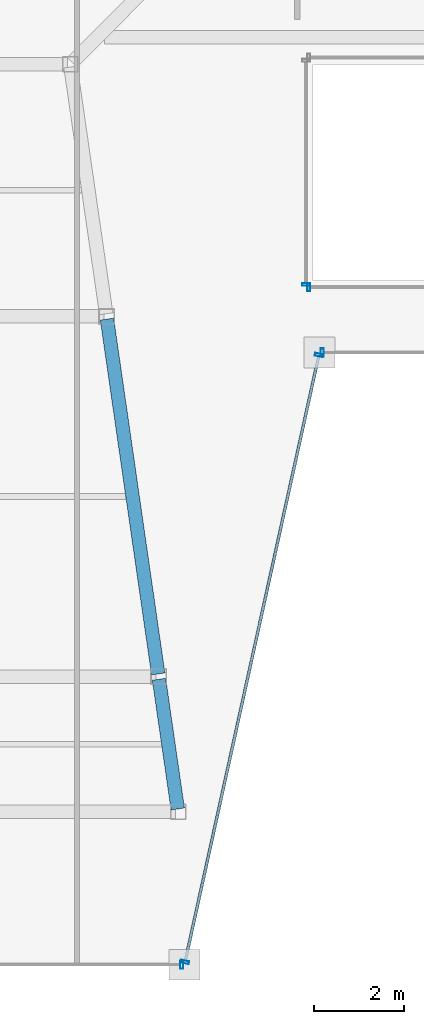
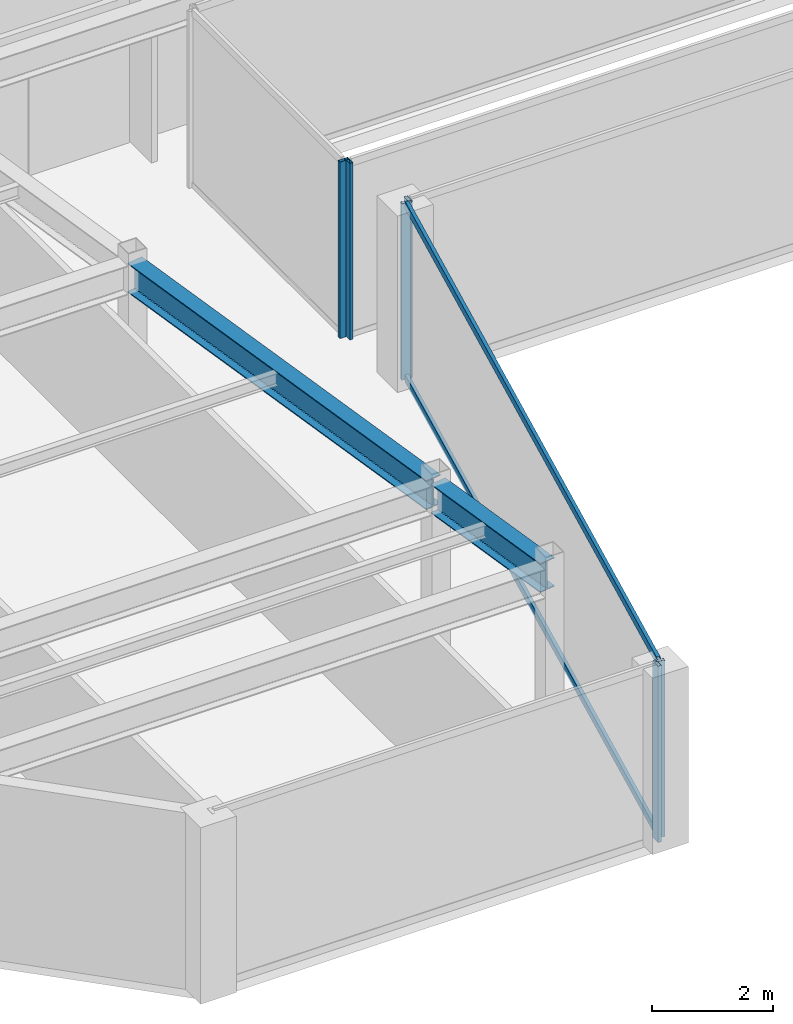
# One storey, part 5 of 32: 8 members, 2 beams, 5 elements without a shape of their own.
"""IFC4 building model written with IfcOpenShell, lengths in metres."""

from ifc_helpers import new_model, si_unit, direction, frame, origin, origin_2d, place, context, subcontext, project, spatial, hollow_rectangle, i_section, extrude, material, material_profile, profile_set, type_object, element, aggregate, save


model = new_model("IFC4")

# Units and contexts
model_context = context("Model", 3, precision=1e-05, world=origin(), true_north=direction((0.0, 1.0)))
body_context = subcontext(model_context, "Body", "Model", "MODEL_VIEW")
ifc_project = project(units=[si_unit("LENGTHUNIT", "METRE"), si_unit("AREAUNIT", "SQUARE_METRE"), si_unit("VOLUMEUNIT", "CUBIC_METRE"), si_unit("PLANEANGLEUNIT", "RADIAN"), si_unit("MASSUNIT", "GRAM", prefix="KILO")], contexts=[model_context])

# Site, building, storey
site_placement = place(None, origin())
site = spatial("IfcSite", under=ifc_project, at=site_placement, CompositionType="ELEMENT")
building_placement = place(site_placement, origin())
building = spatial("IfcBuilding", under=site, at=building_placement, Name="Saevonmaru Cultural Tower", CompositionType="ELEMENT")
storey_placement = place(building_placement, frame((0.0, 0.0, 245.800048828125)))
storey = spatial("IfcBuildingStorey", under=building, at=storey_placement, Name="L57", CompositionType="ELEMENT", Elevation=245.800048828125)

# Beams
ifc_material_1 = material(Name="Steel SM355", Category="steel")
ifc_material_profile_1 = material_profile(ifc_material_1, i_section(OverallWidth=0.300048828125, OverallDepth=0.587890625, WebThickness=0.011962890625, FlangeThickness=0.02001953125, FilletRadius=0.02392578125, at=origin_2d()), Name="H-588x300x12x20")
ifc_profile_set_1 = profile_set([ifc_material_profile_1], Name="Steel SM355")
beam_type = type_object("IfcBeamType", Name="BM-G-H588", PredefinedType="BEAM", material=ifc_profile_set_1)
beam_1_placement = place(storey_placement, frame((21.197509765625, 21.059326171875, 3.255859375), z_axis=(-0.143229094195, 0.989689560709, 0.0), x_axis=(-0.989689560709, -0.143229094195, 0.0)))
element("IfcBeam", 1, at=beam_1_placement, inside=storey, type_object=beam_type, Name="L57 West Atrium Girder 1", PredefinedType="BEAM", context=body_context, shape_type="SweptSolid", body=[
    extrude(i_section(OverallWidth=0.300048828125, OverallDepth=0.587890625, WebThickness=0.011962890625, FlangeThickness=0.02001953125, FilletRadius=0.02392578125, at=origin_2d()), origin(), (0.0, 0.0, 1.0), 2.911376953125),
])
beam_2_placement = place(storey_placement, frame((20.763427734375, 24.059326171875, 3.255859375), z_axis=(-0.142902032203, 0.989736838353, 0.0), x_axis=(-0.989736838353, -0.142902032203, 0.0)))
element("IfcBeam", 2, at=beam_2_placement, inside=storey, type_object=beam_type, Name="L57 West Atrium Girder 2", PredefinedType="BEAM", context=body_context, shape_type="SweptSolid", body=[
    extrude(i_section(OverallWidth=0.300048828125, OverallDepth=0.587890625, WebThickness=0.011962890625, FlangeThickness=0.02001953125, FilletRadius=0.02392578125, at=origin_2d()), origin(), (0.0, 0.0, 1.0), 7.963134765625),
])

# Curtain wall, member
ifc_material_2 = material(Name="Satin Bronze Anodised Aluminium", Category="aluminium")
curtain_wall_type_1 = type_object("IfcCurtainWallType", Name="CW-TYP-B", PredefinedType="NOTDEFINED", material=ifc_material_2)
curtain_wall_1_placement = place(storey_placement, origin())
curtain_wall_1 = element("IfcCurtainWall", 3, at=curtain_wall_1_placement, inside=storey, type_object=curtain_wall_type_1, Name="L57 Unitised Curtain Wall E2", PredefinedType="NOTDEFINED")
ifc_material_profile_2 = material_profile(ifc_material_2, hollow_rectangle(XDim=0.06494140625, YDim=0.179931640625, WallThickness=0.00390625, at=origin_2d()), Name="ALU-MULL-180x65x4")
ifc_profile_set_2 = profile_set([ifc_material_profile_2], Name="Satin Bronze Anodised Aluminium")
member_type_1 = type_object("IfcMemberType", Name="ML-CW-180x65", PredefinedType="MULLION", material=ifc_profile_set_2)
member_1_placement = place(storey_placement, frame((21.28662109375, 17.60009765625, 0.0), z_axis=(0.0, 0.0, 1.0), x_axis=(1.0, 0.0, 0.0)))
member_1 = element("IfcMember", 4, at=member_1_placement, type_object=member_type_1, Name="CW-TW-L57-E2 mullion 2", PredefinedType="MULLION", context=body_context, shape_type="SweptSolid", body=[
    extrude(hollow_rectangle(XDim=0.06494140625, YDim=0.179931640625, WallThickness=0.00390625, at=origin_2d()), origin(), (0.0, 0.0, 1.0), 3.550048828125),
])
aggregate(curtain_wall_1, [member_1])

# Curtain wall, members
curtain_wall_2_placement = place(storey_placement, origin())
curtain_wall_2 = element("IfcCurtainWall", 5, at=curtain_wall_2_placement, inside=storey, type_object=curtain_wall_type_1, Name="L57 Unitised Curtain Wall E3", PredefinedType="NOTDEFINED")
member_2_placement = place(storey_placement, frame((21.359619140625, 17.65869140625, 0.0), z_axis=(0.0, 0.0, 1.0), x_axis=(0.215413319953, 0.976522965212, 0.0)))
member_2 = element("IfcMember", 6, at=member_2_placement, type_object=member_type_1, Name="CW-TW-L57-E3 mullion 1", PredefinedType="MULLION", context=body_context, shape_type="SweptSolid", body=[
    extrude(hollow_rectangle(XDim=0.06494140625, YDim=0.179931640625, WallThickness=0.00390625, at=origin_2d()), origin(), (0.0, 0.0, 1.0), 3.550048828125),
])
member_3_placement = place(storey_placement, frame((24.333740234375, 31.141357421875, 0.0), z_axis=(0.0, 0.0, 1.0), x_axis=(0.215413319953, 0.976522965212, 0.0)))
member_3 = element("IfcMember", 7, at=member_3_placement, type_object=member_type_1, Name="CW-TW-L57-E3 mullion 2", PredefinedType="MULLION", context=body_context, shape_type="SweptSolid", body=[
    extrude(hollow_rectangle(XDim=0.06494140625, YDim=0.179931640625, WallThickness=0.00390625, at=origin_2d()), origin(), (0.0, 0.0, 1.0), 3.550048828125),
])

# Curtain wall, member
curtain_wall_3_placement = place(storey_placement, origin())
curtain_wall_3 = element("IfcCurtainWall", 8, at=curtain_wall_3_placement, inside=storey, type_object=curtain_wall_type_1, Name="L57 Unitised Curtain Wall E4", PredefinedType="NOTDEFINED")
member_4_placement = place(storey_placement, frame((24.40673828125, 31.199951171875, 0.0), z_axis=(0.0, 0.0, 1.0), x_axis=(1.0, 0.0, 0.0)))
member_4 = element("IfcMember", 9, at=member_4_placement, type_object=member_type_1, Name="CW-TW-L57-E4 mullion 1", PredefinedType="MULLION", context=body_context, shape_type="SweptSolid", body=[
    extrude(hollow_rectangle(XDim=0.06494140625, YDim=0.179931640625, WallThickness=0.00390625, at=origin_2d()), origin(), (0.0, 0.0, 1.0), 3.550048828125),
])
aggregate(curtain_wall_3, [member_4])

curtain_wall_type_2 = type_object("IfcCurtainWallType", Name="CW-ATR-GLZ", PredefinedType="NOTDEFINED", material=ifc_material_2)
curtain_wall_4_placement = place(storey_placement, origin())
curtain_wall_4 = element("IfcCurtainWall", 10, at=curtain_wall_4_placement, inside=storey, type_object=curtain_wall_type_2, Name="L57 Vertical Atrium Glazed Smoke Screen 1", PredefinedType="NOTDEFINED")
ifc_material_profile_3 = material_profile(ifc_material_2, hollow_rectangle(XDim=0.06494140625, YDim=0.179931640625, WallThickness=0.00390625, at=origin_2d()), Name="ALU-MULL-180x65x4")
ifc_profile_set_3 = profile_set([ifc_material_profile_3], Name="Satin Bronze Anodised Aluminium")
member_type_2 = type_object("IfcMemberType", Name="ML-CW-INT-180x65", PredefinedType="MULLION", material=ifc_profile_set_3)
member_5_placement = place(storey_placement, frame((24.110107421875, 32.64990234375, 0.0), z_axis=(0.0, 0.0, 1.0), x_axis=(1.0, 0.0, 0.0)))
member_5 = element("IfcMember", 11, at=member_5_placement, type_object=member_type_2, Name="CW-ATR-L57-1 mullion 1", PredefinedType="MULLION", context=body_context, shape_type="SweptSolid", body=[
    extrude(hollow_rectangle(XDim=0.06494140625, YDim=0.179931640625, WallThickness=0.00390625, at=origin_2d()), origin(), (0.0, 0.0, 1.0), 3.550048828125),
])
aggregate(curtain_wall_4, [member_5])

curtain_wall_5_placement = place(storey_placement, origin())
curtain_wall_5 = element("IfcCurtainWall", 12, at=curtain_wall_5_placement, inside=storey, type_object=curtain_wall_type_2, Name="L57 Vertical Atrium Glazed Smoke Screen 4", PredefinedType="NOTDEFINED")
member_6_placement = place(storey_placement, frame((24.050048828125, 32.7099609375, 0.0), z_axis=(0.0, 0.0, 1.0), x_axis=(0.0, -1.0, 0.0)))
member_6 = element("IfcMember", 13, at=member_6_placement, type_object=member_type_2, Name="CW-ATR-L57-4 mullion 2", PredefinedType="MULLION", context=body_context, shape_type="SweptSolid", body=[
    extrude(hollow_rectangle(XDim=0.06494140625, YDim=0.179931640625, WallThickness=0.00390625, at=origin_2d()), origin(), (0.0, 0.0, 1.0), 3.550048828125),
])
aggregate(curtain_wall_5, [member_6])

# Member
ifc_material_profile_4 = material_profile(ifc_material_2, hollow_rectangle(XDim=0.06494140625, YDim=0.14990234375, WallThickness=0.00390625, at=origin_2d()), Name="ALU-TRAN-150x65x4")
ifc_profile_set_4 = profile_set([ifc_material_profile_4], Name="Satin Bronze Anodised Aluminium")
member_type_3 = type_object("IfcMemberType", Name="TR-CW-150x65", PredefinedType="USERDEFINED", material=ifc_profile_set_4)
member_7_placement = place(storey_placement, frame((21.36669921875, 17.6904296875, 0.032470703125), z_axis=(0.215415884539, 0.976522399481, 0.0), x_axis=(-0.976522399481, 0.215415884539, 0.0)))
member_7 = element("IfcMember", 14, at=member_7_placement, type_object=member_type_3, Name="CW-TW-L57-E3 transom 1.1", ObjectType="TRANSOM", PredefinedType="USERDEFINED", context=body_context, shape_type="SweptSolid", body=[
    extrude(hollow_rectangle(XDim=0.06494140625, YDim=0.14990234375, WallThickness=0.00390625, at=origin_2d()), origin(), (0.0, 0.0, 1.0), 13.74169921875),
])

member_8_placement = place(storey_placement, frame((21.36669921875, 17.6904296875, 3.517333984375), z_axis=(0.215415884539, 0.976522399481, 0.0), x_axis=(-0.976522399481, 0.215415884539, 0.0)))
member_8 = element("IfcMember", 15, at=member_8_placement, type_object=member_type_3, Name="CW-TW-L57-E3 transom 1.2", ObjectType="TRANSOM", PredefinedType="USERDEFINED", context=body_context, shape_type="SweptSolid", body=[
    extrude(hollow_rectangle(XDim=0.06494140625, YDim=0.14990234375, WallThickness=0.00390625, at=origin_2d()), origin(), (0.0, 0.0, 1.0), 13.74169921875),
])

aggregate(curtain_wall_2, [member_2, member_3, member_7, member_8])

save(model, "model.ifc")
